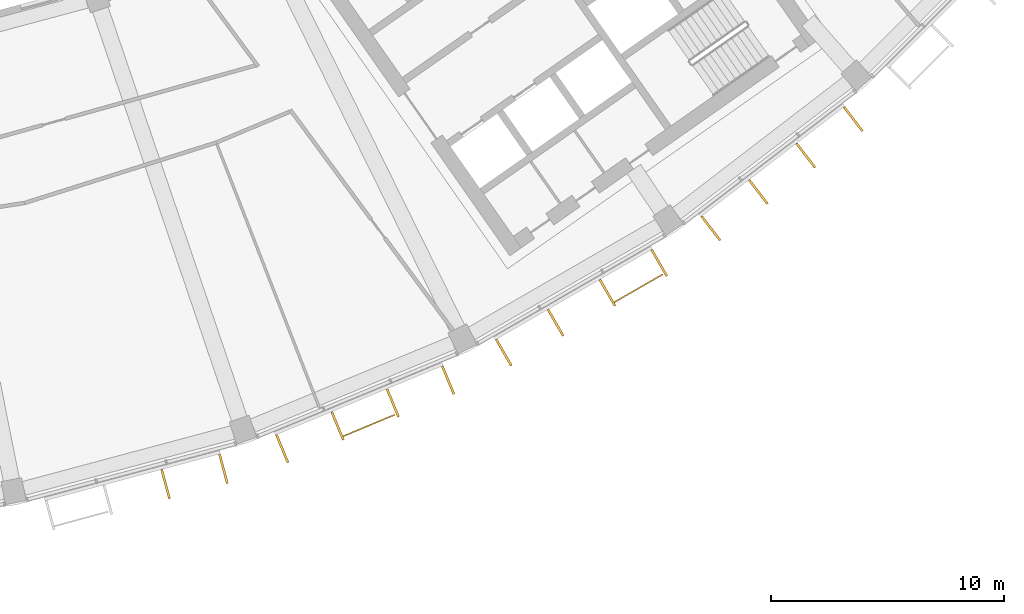
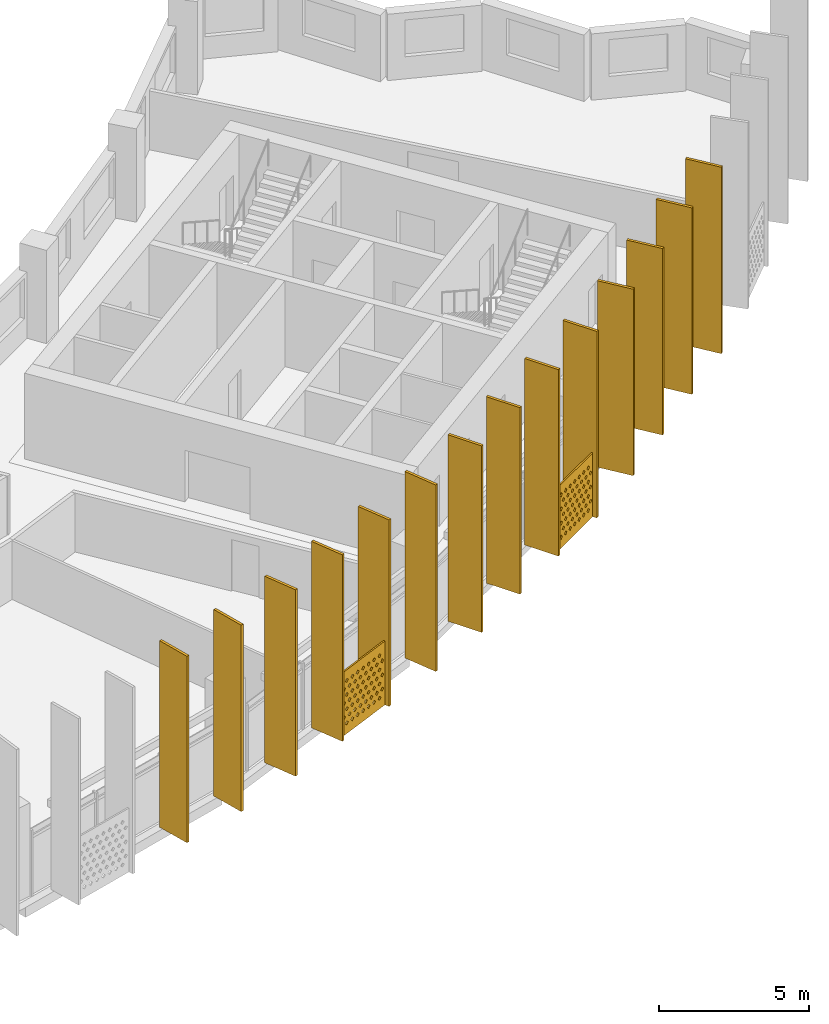
# One storey, part 26 of 28: 16 shading devices.
"""IFC4 building model written with IfcOpenShell, lengths in metres."""

from ifc_helpers import new_model, si_unit, direction, frame, origin, origin_2d, place, context, subcontext, project, spatial, polyline, rectangle, outline, extrude, material, material_profile, profile_set, type_object, element, save


model = new_model("IFC4")

# Units and contexts
model_context = context("Model", 3, precision=1e-05, world=origin(), true_north=direction((0.0, 1.0)))
body_context = subcontext(model_context, "Body", "Model", "MODEL_VIEW")
ifc_project = project(units=[si_unit("LENGTHUNIT", "METRE"), si_unit("AREAUNIT", "SQUARE_METRE"), si_unit("VOLUMEUNIT", "CUBIC_METRE"), si_unit("PLANEANGLEUNIT", "RADIAN"), si_unit("MASSUNIT", "GRAM", prefix="KILO")], contexts=[model_context])

# Site, building, storey
site_placement = place(None, origin())
site = spatial("IfcSite", under=ifc_project, at=site_placement, CompositionType="ELEMENT")
building_placement = place(site_placement, origin())
building = spatial("IfcBuilding", under=site, at=building_placement, Name="Qamariyya Broadcast Tower", CompositionType="ELEMENT")
storey_placement = place(building_placement, frame((0.0, 0.0, 273.300048828125)))
storey = spatial("IfcBuildingStorey", under=building, at=storey_placement, Name="L66", CompositionType="ELEMENT", Elevation=273.300048828125)

# Shading devices
ifc_material_1 = material(Name="Perforated glazed terracotta", Category="masonry")
ifc_material_profile_1 = material_profile(ifc_material_1, outline(polyline([(-1.199951171875, -1.300048828125), (1.199951171875, -1.300048828125), (1.199951171875, 1.300048828125), (-1.199951171875, 1.300048828125), (-1.199951171875, -1.300048828125)]), holes=[polyline([(-0.81494140625, -0.86669921875), (-0.89990234375, -0.78173828125), (-0.985107421875, -0.86669921875), (-0.89990234375, -0.95166015625), (-0.81494140625, -0.86669921875)]), polyline([(-0.514892578125, -0.86669921875), (-0.60009765625, -0.78173828125), (-0.68505859375, -0.86669921875), (-0.60009765625, -0.95166015625), (-0.514892578125, -0.86669921875)]), polyline([(-0.215087890625, -0.86669921875), (-0.300048828125, -0.78173828125), (-0.385009765625, -0.86669921875), (-0.300048828125, -0.95166015625), (-0.215087890625, -0.86669921875)]), polyline([(0.0849609375, -0.86669921875), (0.0, -0.78173828125), (-0.0849609375, -0.86669921875), (0.0, -0.95166015625), (0.0849609375, -0.86669921875)]), polyline([(0.385009765625, -0.86669921875), (0.300048828125, -0.78173828125), (0.215087890625, -0.86669921875), (0.300048828125, -0.95166015625), (0.385009765625, -0.86669921875)]), polyline([(0.68505859375, -0.86669921875), (0.60009765625, -0.78173828125), (0.514892578125, -0.86669921875), (0.60009765625, -0.95166015625), (0.68505859375, -0.86669921875)]), polyline([(0.985107421875, -0.86669921875), (0.89990234375, -0.78173828125), (0.81494140625, -0.86669921875), (0.89990234375, -0.95166015625), (0.985107421875, -0.86669921875)]), polyline([(-0.965087890625, -0.577880859375), (-1.050048828125, -0.49267578125), (-1.135009765625, -0.577880859375), (-1.050048828125, -0.662841796875), (-0.965087890625, -0.577880859375)]), polyline([(-0.6650390625, -0.577880859375), (-0.75, -0.49267578125), (-0.8349609375, -0.577880859375), (-0.75, -0.662841796875), (-0.6650390625, -0.577880859375)]), polyline([(-0.364990234375, -0.577880859375), (-0.449951171875, -0.49267578125), (-0.534912109375, -0.577880859375), (-0.449951171875, -0.662841796875), (-0.364990234375, -0.577880859375)]), polyline([(-0.06494140625, -0.577880859375), (-0.14990234375, -0.49267578125), (-0.235107421875, -0.577880859375), (-0.14990234375, -0.662841796875), (-0.06494140625, -0.577880859375)]), polyline([(0.235107421875, -0.577880859375), (0.14990234375, -0.49267578125), (0.06494140625, -0.577880859375), (0.14990234375, -0.662841796875), (0.235107421875, -0.577880859375)]), polyline([(0.534912109375, -0.577880859375), (0.449951171875, -0.49267578125), (0.364990234375, -0.577880859375), (0.449951171875, -0.662841796875), (0.534912109375, -0.577880859375)]), polyline([(0.8349609375, -0.577880859375), (0.75, -0.49267578125), (0.6650390625, -0.577880859375), (0.75, -0.662841796875), (0.8349609375, -0.577880859375)]), polyline([(1.135009765625, -0.577880859375), (1.050048828125, -0.49267578125), (0.965087890625, -0.577880859375), (1.050048828125, -0.662841796875), (1.135009765625, -0.577880859375)]), polyline([(-0.81494140625, -0.288818359375), (-0.89990234375, -0.203857421875), (-0.985107421875, -0.288818359375), (-0.89990234375, -0.373779296875), (-0.81494140625, -0.288818359375)]), polyline([(-0.514892578125, -0.288818359375), (-0.60009765625, -0.203857421875), (-0.68505859375, -0.288818359375), (-0.60009765625, -0.373779296875), (-0.514892578125, -0.288818359375)]), polyline([(-0.215087890625, -0.288818359375), (-0.300048828125, -0.203857421875), (-0.385009765625, -0.288818359375), (-0.300048828125, -0.373779296875), (-0.215087890625, -0.288818359375)]), polyline([(0.0849609375, -0.288818359375), (0.0, -0.203857421875), (-0.0849609375, -0.288818359375), (0.0, -0.373779296875), (0.0849609375, -0.288818359375)]), polyline([(0.385009765625, -0.288818359375), (0.300048828125, -0.203857421875), (0.215087890625, -0.288818359375), (0.300048828125, -0.373779296875), (0.385009765625, -0.288818359375)]), polyline([(0.68505859375, -0.288818359375), (0.60009765625, -0.203857421875), (0.514892578125, -0.288818359375), (0.60009765625, -0.373779296875), (0.68505859375, -0.288818359375)]), polyline([(0.985107421875, -0.288818359375), (0.89990234375, -0.203857421875), (0.81494140625, -0.288818359375), (0.89990234375, -0.373779296875), (0.985107421875, -0.288818359375)]), polyline([(-0.965087890625, 0.0), (-1.050048828125, 0.0849609375), (-1.135009765625, 0.0), (-1.050048828125, -0.0849609375), (-0.965087890625, 0.0)]), polyline([(-0.6650390625, 0.0), (-0.75, 0.0849609375), (-0.8349609375, 0.0), (-0.75, -0.0849609375), (-0.6650390625, 0.0)]), polyline([(-0.364990234375, 0.0), (-0.449951171875, 0.0849609375), (-0.534912109375, 0.0), (-0.449951171875, -0.0849609375), (-0.364990234375, 0.0)]), polyline([(-0.06494140625, 0.0), (-0.14990234375, 0.0849609375), (-0.235107421875, 0.0), (-0.14990234375, -0.0849609375), (-0.06494140625, 0.0)]), polyline([(0.235107421875, 0.0), (0.14990234375, 0.0849609375), (0.06494140625, 0.0), (0.14990234375, -0.0849609375), (0.235107421875, 0.0)]), polyline([(0.534912109375, 0.0), (0.449951171875, 0.0849609375), (0.364990234375, 0.0), (0.449951171875, -0.0849609375), (0.534912109375, 0.0)]), polyline([(0.8349609375, 0.0), (0.75, 0.0849609375), (0.6650390625, 0.0), (0.75, -0.0849609375), (0.8349609375, 0.0)]), polyline([(1.135009765625, 0.0), (1.050048828125, 0.0849609375), (0.965087890625, 0.0), (1.050048828125, -0.0849609375), (1.135009765625, 0.0)]), polyline([(-0.81494140625, 0.288818359375), (-0.89990234375, 0.373779296875), (-0.985107421875, 0.288818359375), (-0.89990234375, 0.203857421875), (-0.81494140625, 0.288818359375)]), polyline([(-0.514892578125, 0.288818359375), (-0.60009765625, 0.373779296875), (-0.68505859375, 0.288818359375), (-0.60009765625, 0.203857421875), (-0.514892578125, 0.288818359375)]), polyline([(-0.215087890625, 0.288818359375), (-0.300048828125, 0.373779296875), (-0.385009765625, 0.288818359375), (-0.300048828125, 0.203857421875), (-0.215087890625, 0.288818359375)]), polyline([(0.0849609375, 0.288818359375), (0.0, 0.373779296875), (-0.0849609375, 0.288818359375), (0.0, 0.203857421875), (0.0849609375, 0.288818359375)]), polyline([(0.385009765625, 0.288818359375), (0.300048828125, 0.373779296875), (0.215087890625, 0.288818359375), (0.300048828125, 0.203857421875), (0.385009765625, 0.288818359375)]), polyline([(0.68505859375, 0.288818359375), (0.60009765625, 0.373779296875), (0.514892578125, 0.288818359375), (0.60009765625, 0.203857421875), (0.68505859375, 0.288818359375)]), polyline([(0.985107421875, 0.288818359375), (0.89990234375, 0.373779296875), (0.81494140625, 0.288818359375), (0.89990234375, 0.203857421875), (0.985107421875, 0.288818359375)]), polyline([(-0.965087890625, 0.577880859375), (-1.050048828125, 0.662841796875), (-1.135009765625, 0.577880859375), (-1.050048828125, 0.49267578125), (-0.965087890625, 0.577880859375)]), polyline([(-0.6650390625, 0.577880859375), (-0.75, 0.662841796875), (-0.8349609375, 0.577880859375), (-0.75, 0.49267578125), (-0.6650390625, 0.577880859375)]), polyline([(-0.364990234375, 0.577880859375), (-0.449951171875, 0.662841796875), (-0.534912109375, 0.577880859375), (-0.449951171875, 0.49267578125), (-0.364990234375, 0.577880859375)]), polyline([(-0.06494140625, 0.577880859375), (-0.14990234375, 0.662841796875), (-0.235107421875, 0.577880859375), (-0.14990234375, 0.49267578125), (-0.06494140625, 0.577880859375)]), polyline([(0.235107421875, 0.577880859375), (0.14990234375, 0.662841796875), (0.06494140625, 0.577880859375), (0.14990234375, 0.49267578125), (0.235107421875, 0.577880859375)]), polyline([(0.534912109375, 0.577880859375), (0.449951171875, 0.662841796875), (0.364990234375, 0.577880859375), (0.449951171875, 0.49267578125), (0.534912109375, 0.577880859375)]), polyline([(0.8349609375, 0.577880859375), (0.75, 0.662841796875), (0.6650390625, 0.577880859375), (0.75, 0.49267578125), (0.8349609375, 0.577880859375)]), polyline([(1.135009765625, 0.577880859375), (1.050048828125, 0.662841796875), (0.965087890625, 0.577880859375), (1.050048828125, 0.49267578125), (1.135009765625, 0.577880859375)]), polyline([(-0.81494140625, 0.86669921875), (-0.89990234375, 0.95166015625), (-0.985107421875, 0.86669921875), (-0.89990234375, 0.78173828125), (-0.81494140625, 0.86669921875)]), polyline([(-0.514892578125, 0.86669921875), (-0.60009765625, 0.95166015625), (-0.68505859375, 0.86669921875), (-0.60009765625, 0.78173828125), (-0.514892578125, 0.86669921875)]), polyline([(-0.215087890625, 0.86669921875), (-0.300048828125, 0.95166015625), (-0.385009765625, 0.86669921875), (-0.300048828125, 0.78173828125), (-0.215087890625, 0.86669921875)]), polyline([(0.0849609375, 0.86669921875), (0.0, 0.95166015625), (-0.0849609375, 0.86669921875), (0.0, 0.78173828125), (0.0849609375, 0.86669921875)]), polyline([(0.385009765625, 0.86669921875), (0.300048828125, 0.95166015625), (0.215087890625, 0.86669921875), (0.300048828125, 0.78173828125), (0.385009765625, 0.86669921875)]), polyline([(0.68505859375, 0.86669921875), (0.60009765625, 0.95166015625), (0.514892578125, 0.86669921875), (0.60009765625, 0.78173828125), (0.68505859375, 0.86669921875)]), polyline([(0.985107421875, 0.86669921875), (0.89990234375, 0.95166015625), (0.81494140625, 0.86669921875), (0.89990234375, 0.78173828125), (0.985107421875, 0.86669921875)])]))
ifc_profile_set_1 = profile_set([ifc_material_profile_1], Name="Perforated glazed terracotta")
shading_device_type_1 = type_object("IfcShadingDeviceType", Name="Perforated terracotta screen 2400 x 2600", PredefinedType="USERDEFINED", material=ifc_profile_set_1)
shading_device_1_placement = place(storey_placement, frame((30.376220703125, -73.416259765625, 1.349853515625), z_axis=(0.386057671614, -0.922474646908, 0.0), x_axis=(0.922474646908, 0.386057671614, 0.0)))
element("IfcShadingDevice", 1, at=shading_device_1_placement, inside=storey, type_object=shading_device_type_1, Name="e-scr-L66-10-1", ObjectType="SCREEN", PredefinedType="USERDEFINED", context=body_context, shape_type="SweptSolid", body=[
    extrude(outline(polyline([(-1.199951171875, -1.300048828125), (1.199951171875, -1.300048828125), (1.199951171875, 1.300048828125), (-1.199951171875, 1.300048828125), (-1.199951171875, -1.300048828125)]), holes=[polyline([(-0.81494140625, -0.86669921875), (-0.89990234375, -0.78173828125), (-0.985107421875, -0.86669921875), (-0.89990234375, -0.95166015625), (-0.81494140625, -0.86669921875)]), polyline([(-0.514892578125, -0.86669921875), (-0.60009765625, -0.78173828125), (-0.68505859375, -0.86669921875), (-0.60009765625, -0.95166015625), (-0.514892578125, -0.86669921875)]), polyline([(-0.215087890625, -0.86669921875), (-0.300048828125, -0.78173828125), (-0.385009765625, -0.86669921875), (-0.300048828125, -0.95166015625), (-0.215087890625, -0.86669921875)]), polyline([(0.0849609375, -0.86669921875), (0.0, -0.78173828125), (-0.0849609375, -0.86669921875), (0.0, -0.95166015625), (0.0849609375, -0.86669921875)]), polyline([(0.385009765625, -0.86669921875), (0.300048828125, -0.78173828125), (0.215087890625, -0.86669921875), (0.300048828125, -0.95166015625), (0.385009765625, -0.86669921875)]), polyline([(0.68505859375, -0.86669921875), (0.60009765625, -0.78173828125), (0.514892578125, -0.86669921875), (0.60009765625, -0.95166015625), (0.68505859375, -0.86669921875)]), polyline([(0.985107421875, -0.86669921875), (0.89990234375, -0.78173828125), (0.81494140625, -0.86669921875), (0.89990234375, -0.95166015625), (0.985107421875, -0.86669921875)]), polyline([(-0.965087890625, -0.577880859375), (-1.050048828125, -0.49267578125), (-1.135009765625, -0.577880859375), (-1.050048828125, -0.662841796875), (-0.965087890625, -0.577880859375)]), polyline([(-0.6650390625, -0.577880859375), (-0.75, -0.49267578125), (-0.8349609375, -0.577880859375), (-0.75, -0.662841796875), (-0.6650390625, -0.577880859375)]), polyline([(-0.364990234375, -0.577880859375), (-0.449951171875, -0.49267578125), (-0.534912109375, -0.577880859375), (-0.449951171875, -0.662841796875), (-0.364990234375, -0.577880859375)]), polyline([(-0.06494140625, -0.577880859375), (-0.14990234375, -0.49267578125), (-0.235107421875, -0.577880859375), (-0.14990234375, -0.662841796875), (-0.06494140625, -0.577880859375)]), polyline([(0.235107421875, -0.577880859375), (0.14990234375, -0.49267578125), (0.06494140625, -0.577880859375), (0.14990234375, -0.662841796875), (0.235107421875, -0.577880859375)]), polyline([(0.534912109375, -0.577880859375), (0.449951171875, -0.49267578125), (0.364990234375, -0.577880859375), (0.449951171875, -0.662841796875), (0.534912109375, -0.577880859375)]), polyline([(0.8349609375, -0.577880859375), (0.75, -0.49267578125), (0.6650390625, -0.577880859375), (0.75, -0.662841796875), (0.8349609375, -0.577880859375)]), polyline([(1.135009765625, -0.577880859375), (1.050048828125, -0.49267578125), (0.965087890625, -0.577880859375), (1.050048828125, -0.662841796875), (1.135009765625, -0.577880859375)]), polyline([(-0.81494140625, -0.288818359375), (-0.89990234375, -0.203857421875), (-0.985107421875, -0.288818359375), (-0.89990234375, -0.373779296875), (-0.81494140625, -0.288818359375)]), polyline([(-0.514892578125, -0.288818359375), (-0.60009765625, -0.203857421875), (-0.68505859375, -0.288818359375), (-0.60009765625, -0.373779296875), (-0.514892578125, -0.288818359375)]), polyline([(-0.215087890625, -0.288818359375), (-0.300048828125, -0.203857421875), (-0.385009765625, -0.288818359375), (-0.300048828125, -0.373779296875), (-0.215087890625, -0.288818359375)]), polyline([(0.0849609375, -0.288818359375), (0.0, -0.203857421875), (-0.0849609375, -0.288818359375), (0.0, -0.373779296875), (0.0849609375, -0.288818359375)]), polyline([(0.385009765625, -0.288818359375), (0.300048828125, -0.203857421875), (0.215087890625, -0.288818359375), (0.300048828125, -0.373779296875), (0.385009765625, -0.288818359375)]), polyline([(0.68505859375, -0.288818359375), (0.60009765625, -0.203857421875), (0.514892578125, -0.288818359375), (0.60009765625, -0.373779296875), (0.68505859375, -0.288818359375)]), polyline([(0.985107421875, -0.288818359375), (0.89990234375, -0.203857421875), (0.81494140625, -0.288818359375), (0.89990234375, -0.373779296875), (0.985107421875, -0.288818359375)]), polyline([(-0.965087890625, 0.0), (-1.050048828125, 0.0849609375), (-1.135009765625, 0.0), (-1.050048828125, -0.0849609375), (-0.965087890625, 0.0)]), polyline([(-0.6650390625, 0.0), (-0.75, 0.0849609375), (-0.8349609375, 0.0), (-0.75, -0.0849609375), (-0.6650390625, 0.0)]), polyline([(-0.364990234375, 0.0), (-0.449951171875, 0.0849609375), (-0.534912109375, 0.0), (-0.449951171875, -0.0849609375), (-0.364990234375, 0.0)]), polyline([(-0.06494140625, 0.0), (-0.14990234375, 0.0849609375), (-0.235107421875, 0.0), (-0.14990234375, -0.0849609375), (-0.06494140625, 0.0)]), polyline([(0.235107421875, 0.0), (0.14990234375, 0.0849609375), (0.06494140625, 0.0), (0.14990234375, -0.0849609375), (0.235107421875, 0.0)]), polyline([(0.534912109375, 0.0), (0.449951171875, 0.0849609375), (0.364990234375, 0.0), (0.449951171875, -0.0849609375), (0.534912109375, 0.0)]), polyline([(0.8349609375, 0.0), (0.75, 0.0849609375), (0.6650390625, 0.0), (0.75, -0.0849609375), (0.8349609375, 0.0)]), polyline([(1.135009765625, 0.0), (1.050048828125, 0.0849609375), (0.965087890625, 0.0), (1.050048828125, -0.0849609375), (1.135009765625, 0.0)]), polyline([(-0.81494140625, 0.288818359375), (-0.89990234375, 0.373779296875), (-0.985107421875, 0.288818359375), (-0.89990234375, 0.203857421875), (-0.81494140625, 0.288818359375)]), polyline([(-0.514892578125, 0.288818359375), (-0.60009765625, 0.373779296875), (-0.68505859375, 0.288818359375), (-0.60009765625, 0.203857421875), (-0.514892578125, 0.288818359375)]), polyline([(-0.215087890625, 0.288818359375), (-0.300048828125, 0.373779296875), (-0.385009765625, 0.288818359375), (-0.300048828125, 0.203857421875), (-0.215087890625, 0.288818359375)]), polyline([(0.0849609375, 0.288818359375), (0.0, 0.373779296875), (-0.0849609375, 0.288818359375), (0.0, 0.203857421875), (0.0849609375, 0.288818359375)]), polyline([(0.385009765625, 0.288818359375), (0.300048828125, 0.373779296875), (0.215087890625, 0.288818359375), (0.300048828125, 0.203857421875), (0.385009765625, 0.288818359375)]), polyline([(0.68505859375, 0.288818359375), (0.60009765625, 0.373779296875), (0.514892578125, 0.288818359375), (0.60009765625, 0.203857421875), (0.68505859375, 0.288818359375)]), polyline([(0.985107421875, 0.288818359375), (0.89990234375, 0.373779296875), (0.81494140625, 0.288818359375), (0.89990234375, 0.203857421875), (0.985107421875, 0.288818359375)]), polyline([(-0.965087890625, 0.577880859375), (-1.050048828125, 0.662841796875), (-1.135009765625, 0.577880859375), (-1.050048828125, 0.49267578125), (-0.965087890625, 0.577880859375)]), polyline([(-0.6650390625, 0.577880859375), (-0.75, 0.662841796875), (-0.8349609375, 0.577880859375), (-0.75, 0.49267578125), (-0.6650390625, 0.577880859375)]), polyline([(-0.364990234375, 0.577880859375), (-0.449951171875, 0.662841796875), (-0.534912109375, 0.577880859375), (-0.449951171875, 0.49267578125), (-0.364990234375, 0.577880859375)]), polyline([(-0.06494140625, 0.577880859375), (-0.14990234375, 0.662841796875), (-0.235107421875, 0.577880859375), (-0.14990234375, 0.49267578125), (-0.06494140625, 0.577880859375)]), polyline([(0.235107421875, 0.577880859375), (0.14990234375, 0.662841796875), (0.06494140625, 0.577880859375), (0.14990234375, 0.49267578125), (0.235107421875, 0.577880859375)]), polyline([(0.534912109375, 0.577880859375), (0.449951171875, 0.662841796875), (0.364990234375, 0.577880859375), (0.449951171875, 0.49267578125), (0.534912109375, 0.577880859375)]), polyline([(0.8349609375, 0.577880859375), (0.75, 0.662841796875), (0.6650390625, 0.577880859375), (0.75, 0.49267578125), (0.8349609375, 0.577880859375)]), polyline([(1.135009765625, 0.577880859375), (1.050048828125, 0.662841796875), (0.965087890625, 0.577880859375), (1.050048828125, 0.49267578125), (1.135009765625, 0.577880859375)]), polyline([(-0.81494140625, 0.86669921875), (-0.89990234375, 0.95166015625), (-0.985107421875, 0.86669921875), (-0.89990234375, 0.78173828125), (-0.81494140625, 0.86669921875)]), polyline([(-0.514892578125, 0.86669921875), (-0.60009765625, 0.95166015625), (-0.68505859375, 0.86669921875), (-0.60009765625, 0.78173828125), (-0.514892578125, 0.86669921875)]), polyline([(-0.215087890625, 0.86669921875), (-0.300048828125, 0.95166015625), (-0.385009765625, 0.86669921875), (-0.300048828125, 0.78173828125), (-0.215087890625, 0.86669921875)]), polyline([(0.0849609375, 0.86669921875), (0.0, 0.95166015625), (-0.0849609375, 0.86669921875), (0.0, 0.78173828125), (0.0849609375, 0.86669921875)]), polyline([(0.385009765625, 0.86669921875), (0.300048828125, 0.95166015625), (0.215087890625, 0.86669921875), (0.300048828125, 0.78173828125), (0.385009765625, 0.86669921875)]), polyline([(0.68505859375, 0.86669921875), (0.60009765625, 0.95166015625), (0.514892578125, 0.86669921875), (0.60009765625, 0.78173828125), (0.68505859375, 0.86669921875)]), polyline([(0.985107421875, 0.86669921875), (0.89990234375, 0.95166015625), (0.81494140625, 0.86669921875), (0.89990234375, 0.78173828125), (0.985107421875, 0.86669921875)])]), origin(), (0.0, 0.0, 1.0), 0.06005859375),
])
shading_device_2_placement = place(storey_placement, frame((41.918212890625, -67.542236328125, 1.349853515625), z_axis=(0.498778343083, -0.866729579783, 0.0), x_axis=(0.866729579783, 0.498778343083, 0.0)))
element("IfcShadingDevice", 2, at=shading_device_2_placement, inside=storey, type_object=shading_device_type_1, Name="e-scr-L66-11-2", ObjectType="SCREEN", PredefinedType="USERDEFINED", context=body_context, shape_type="SweptSolid", body=[
    extrude(outline(polyline([(-1.199951171875, -1.300048828125), (1.199951171875, -1.300048828125), (1.199951171875, 1.300048828125), (-1.199951171875, 1.300048828125), (-1.199951171875, -1.300048828125)]), holes=[polyline([(-0.81494140625, -0.86669921875), (-0.89990234375, -0.78173828125), (-0.985107421875, -0.86669921875), (-0.89990234375, -0.95166015625), (-0.81494140625, -0.86669921875)]), polyline([(-0.514892578125, -0.86669921875), (-0.60009765625, -0.78173828125), (-0.68505859375, -0.86669921875), (-0.60009765625, -0.95166015625), (-0.514892578125, -0.86669921875)]), polyline([(-0.215087890625, -0.86669921875), (-0.300048828125, -0.78173828125), (-0.385009765625, -0.86669921875), (-0.300048828125, -0.95166015625), (-0.215087890625, -0.86669921875)]), polyline([(0.0849609375, -0.86669921875), (0.0, -0.78173828125), (-0.0849609375, -0.86669921875), (0.0, -0.95166015625), (0.0849609375, -0.86669921875)]), polyline([(0.385009765625, -0.86669921875), (0.300048828125, -0.78173828125), (0.215087890625, -0.86669921875), (0.300048828125, -0.95166015625), (0.385009765625, -0.86669921875)]), polyline([(0.68505859375, -0.86669921875), (0.60009765625, -0.78173828125), (0.514892578125, -0.86669921875), (0.60009765625, -0.95166015625), (0.68505859375, -0.86669921875)]), polyline([(0.985107421875, -0.86669921875), (0.89990234375, -0.78173828125), (0.81494140625, -0.86669921875), (0.89990234375, -0.95166015625), (0.985107421875, -0.86669921875)]), polyline([(-0.965087890625, -0.577880859375), (-1.050048828125, -0.49267578125), (-1.135009765625, -0.577880859375), (-1.050048828125, -0.662841796875), (-0.965087890625, -0.577880859375)]), polyline([(-0.6650390625, -0.577880859375), (-0.75, -0.49267578125), (-0.8349609375, -0.577880859375), (-0.75, -0.662841796875), (-0.6650390625, -0.577880859375)]), polyline([(-0.364990234375, -0.577880859375), (-0.449951171875, -0.49267578125), (-0.534912109375, -0.577880859375), (-0.449951171875, -0.662841796875), (-0.364990234375, -0.577880859375)]), polyline([(-0.06494140625, -0.577880859375), (-0.14990234375, -0.49267578125), (-0.235107421875, -0.577880859375), (-0.14990234375, -0.662841796875), (-0.06494140625, -0.577880859375)]), polyline([(0.235107421875, -0.577880859375), (0.14990234375, -0.49267578125), (0.06494140625, -0.577880859375), (0.14990234375, -0.662841796875), (0.235107421875, -0.577880859375)]), polyline([(0.534912109375, -0.577880859375), (0.449951171875, -0.49267578125), (0.364990234375, -0.577880859375), (0.449951171875, -0.662841796875), (0.534912109375, -0.577880859375)]), polyline([(0.8349609375, -0.577880859375), (0.75, -0.49267578125), (0.6650390625, -0.577880859375), (0.75, -0.662841796875), (0.8349609375, -0.577880859375)]), polyline([(1.135009765625, -0.577880859375), (1.050048828125, -0.49267578125), (0.965087890625, -0.577880859375), (1.050048828125, -0.662841796875), (1.135009765625, -0.577880859375)]), polyline([(-0.81494140625, -0.288818359375), (-0.89990234375, -0.203857421875), (-0.985107421875, -0.288818359375), (-0.89990234375, -0.373779296875), (-0.81494140625, -0.288818359375)]), polyline([(-0.514892578125, -0.288818359375), (-0.60009765625, -0.203857421875), (-0.68505859375, -0.288818359375), (-0.60009765625, -0.373779296875), (-0.514892578125, -0.288818359375)]), polyline([(-0.215087890625, -0.288818359375), (-0.300048828125, -0.203857421875), (-0.385009765625, -0.288818359375), (-0.300048828125, -0.373779296875), (-0.215087890625, -0.288818359375)]), polyline([(0.0849609375, -0.288818359375), (0.0, -0.203857421875), (-0.0849609375, -0.288818359375), (0.0, -0.373779296875), (0.0849609375, -0.288818359375)]), polyline([(0.385009765625, -0.288818359375), (0.300048828125, -0.203857421875), (0.215087890625, -0.288818359375), (0.300048828125, -0.373779296875), (0.385009765625, -0.288818359375)]), polyline([(0.68505859375, -0.288818359375), (0.60009765625, -0.203857421875), (0.514892578125, -0.288818359375), (0.60009765625, -0.373779296875), (0.68505859375, -0.288818359375)]), polyline([(0.985107421875, -0.288818359375), (0.89990234375, -0.203857421875), (0.81494140625, -0.288818359375), (0.89990234375, -0.373779296875), (0.985107421875, -0.288818359375)]), polyline([(-0.965087890625, 0.0), (-1.050048828125, 0.0849609375), (-1.135009765625, 0.0), (-1.050048828125, -0.0849609375), (-0.965087890625, 0.0)]), polyline([(-0.6650390625, 0.0), (-0.75, 0.0849609375), (-0.8349609375, 0.0), (-0.75, -0.0849609375), (-0.6650390625, 0.0)]), polyline([(-0.364990234375, 0.0), (-0.449951171875, 0.0849609375), (-0.534912109375, 0.0), (-0.449951171875, -0.0849609375), (-0.364990234375, 0.0)]), polyline([(-0.06494140625, 0.0), (-0.14990234375, 0.0849609375), (-0.235107421875, 0.0), (-0.14990234375, -0.0849609375), (-0.06494140625, 0.0)]), polyline([(0.235107421875, 0.0), (0.14990234375, 0.0849609375), (0.06494140625, 0.0), (0.14990234375, -0.0849609375), (0.235107421875, 0.0)]), polyline([(0.534912109375, 0.0), (0.449951171875, 0.0849609375), (0.364990234375, 0.0), (0.449951171875, -0.0849609375), (0.534912109375, 0.0)]), polyline([(0.8349609375, 0.0), (0.75, 0.0849609375), (0.6650390625, 0.0), (0.75, -0.0849609375), (0.8349609375, 0.0)]), polyline([(1.135009765625, 0.0), (1.050048828125, 0.0849609375), (0.965087890625, 0.0), (1.050048828125, -0.0849609375), (1.135009765625, 0.0)]), polyline([(-0.81494140625, 0.288818359375), (-0.89990234375, 0.373779296875), (-0.985107421875, 0.288818359375), (-0.89990234375, 0.203857421875), (-0.81494140625, 0.288818359375)]), polyline([(-0.514892578125, 0.288818359375), (-0.60009765625, 0.373779296875), (-0.68505859375, 0.288818359375), (-0.60009765625, 0.203857421875), (-0.514892578125, 0.288818359375)]), polyline([(-0.215087890625, 0.288818359375), (-0.300048828125, 0.373779296875), (-0.385009765625, 0.288818359375), (-0.300048828125, 0.203857421875), (-0.215087890625, 0.288818359375)]), polyline([(0.0849609375, 0.288818359375), (0.0, 0.373779296875), (-0.0849609375, 0.288818359375), (0.0, 0.203857421875), (0.0849609375, 0.288818359375)]), polyline([(0.385009765625, 0.288818359375), (0.300048828125, 0.373779296875), (0.215087890625, 0.288818359375), (0.300048828125, 0.203857421875), (0.385009765625, 0.288818359375)]), polyline([(0.68505859375, 0.288818359375), (0.60009765625, 0.373779296875), (0.514892578125, 0.288818359375), (0.60009765625, 0.203857421875), (0.68505859375, 0.288818359375)]), polyline([(0.985107421875, 0.288818359375), (0.89990234375, 0.373779296875), (0.81494140625, 0.288818359375), (0.89990234375, 0.203857421875), (0.985107421875, 0.288818359375)]), polyline([(-0.965087890625, 0.577880859375), (-1.050048828125, 0.662841796875), (-1.135009765625, 0.577880859375), (-1.050048828125, 0.49267578125), (-0.965087890625, 0.577880859375)]), polyline([(-0.6650390625, 0.577880859375), (-0.75, 0.662841796875), (-0.8349609375, 0.577880859375), (-0.75, 0.49267578125), (-0.6650390625, 0.577880859375)]), polyline([(-0.364990234375, 0.577880859375), (-0.449951171875, 0.662841796875), (-0.534912109375, 0.577880859375), (-0.449951171875, 0.49267578125), (-0.364990234375, 0.577880859375)]), polyline([(-0.06494140625, 0.577880859375), (-0.14990234375, 0.662841796875), (-0.235107421875, 0.577880859375), (-0.14990234375, 0.49267578125), (-0.06494140625, 0.577880859375)]), polyline([(0.235107421875, 0.577880859375), (0.14990234375, 0.662841796875), (0.06494140625, 0.577880859375), (0.14990234375, 0.49267578125), (0.235107421875, 0.577880859375)]), polyline([(0.534912109375, 0.577880859375), (0.449951171875, 0.662841796875), (0.364990234375, 0.577880859375), (0.449951171875, 0.49267578125), (0.534912109375, 0.577880859375)]), polyline([(0.8349609375, 0.577880859375), (0.75, 0.662841796875), (0.6650390625, 0.577880859375), (0.75, 0.49267578125), (0.8349609375, 0.577880859375)]), polyline([(1.135009765625, 0.577880859375), (1.050048828125, 0.662841796875), (0.965087890625, 0.577880859375), (1.050048828125, 0.49267578125), (1.135009765625, 0.577880859375)]), polyline([(-0.81494140625, 0.86669921875), (-0.89990234375, 0.95166015625), (-0.985107421875, 0.86669921875), (-0.89990234375, 0.78173828125), (-0.81494140625, 0.86669921875)]), polyline([(-0.514892578125, 0.86669921875), (-0.60009765625, 0.95166015625), (-0.68505859375, 0.86669921875), (-0.60009765625, 0.78173828125), (-0.514892578125, 0.86669921875)]), polyline([(-0.215087890625, 0.86669921875), (-0.300048828125, 0.95166015625), (-0.385009765625, 0.86669921875), (-0.300048828125, 0.78173828125), (-0.215087890625, 0.86669921875)]), polyline([(0.0849609375, 0.86669921875), (0.0, 0.95166015625), (-0.0849609375, 0.86669921875), (0.0, 0.78173828125), (0.0849609375, 0.86669921875)]), polyline([(0.385009765625, 0.86669921875), (0.300048828125, 0.95166015625), (0.215087890625, 0.86669921875), (0.300048828125, 0.78173828125), (0.385009765625, 0.86669921875)]), polyline([(0.68505859375, 0.86669921875), (0.60009765625, 0.95166015625), (0.514892578125, 0.86669921875), (0.60009765625, 0.78173828125), (0.68505859375, 0.86669921875)]), polyline([(0.985107421875, 0.86669921875), (0.89990234375, 0.95166015625), (0.81494140625, 0.86669921875), (0.89990234375, 0.78173828125), (0.985107421875, 0.86669921875)])]), origin(), (0.0, 0.0, 1.0), 0.059814453125),
])
ifc_material_2 = material(Name="Glazed terracotta", Category="masonry")
ifc_material_profile_2 = material_profile(ifc_material_2, rectangle(XDim=1.300048828125, YDim=0.10009765625, at=origin_2d()))
ifc_profile_set_2 = profile_set([ifc_material_profile_2], Name="Glazed terracotta")
shading_device_type_2 = type_object("IfcShadingDeviceType", Name="Terracotta fin 100 x 1300", PredefinedType="USERDEFINED", material=ifc_profile_set_2)
for number, where, z_axis, x_axis, name in (
    (3, (21.679443359375, -75.95947265625, 0.0), (0.0, 0.0, 1.0), (0.258819045103, -0.965925826289, 0.0), "e-fin-L66-09-2"),
    (4, (24.154296875, -75.29638671875, 0.0), (0.0, 0.0, 1.0), (0.258819045103, -0.965925826289, 0.0), "e-fin-L66-09-3"),
    (5, (26.674560546875, -74.44091796875, 0.0), (0.0, 0.0, 1.0), (0.382683432365, -0.923879532511, 0.0), "e-fin-L66-10-0"),
    (6, (29.041748046875, -73.46044921875, 0.0), (0.0, 0.0, 1.0), (0.382683432365, -0.923879532511, 0.0), "e-fin-L66-10-1"),
    (7, (31.40869140625, -72.479736328125, 0.0), (0.0, 0.0, 1.0), (0.382683432365, -0.923879532511, 0.0), "e-fin-L66-10-2"),
    (8, (33.77587890625, -71.499267578125, 0.0), (0.0, 0.0, 1.0), (0.382683432365, -0.923879532511, 0.0), "e-fin-L66-10-3"),
    (9, (36.162841796875, -70.322265625, 0.0), (0.0, 0.0, 1.0), (0.5, -0.866025403784, 0.0), "e-fin-L66-11-0"),
    (10, (38.381591796875, -69.041259765625, 0.0), (0.0, 0.0, 1.0), (0.5, -0.866025403784, 0.0), "e-fin-L66-11-1"),
    (11, (40.6005859375, -67.760009765625, 0.0), (0.0, 0.0, 1.0), (0.5, -0.866025403784, 0.0), "e-fin-L66-11-2"),
    (12, (42.819580078125, -66.47900390625, 0.0), (0.0, 0.0, 1.0), (0.5, -0.866025403784, 0.0), "e-fin-L66-11-3"),
    (13, (45.0322265625, -65.00048828125, 0.0), (0.0, 0.0, 1.0), (0.608761429009, -0.793353340291, 0.0), "e-fin-L66-12-0"),
    (14, (47.06494140625, -63.440673828125, 0.0), (0.0, 0.0, 1.0), (0.608761429009, -0.793353340291, 0.0), "e-fin-L66-12-1"),
    (15, (49.09765625, -61.880859375, 0.0), (0.0, 0.0, 1.0), (0.608761429009, -0.793353340291, 0.0), "e-fin-L66-12-2"),
    (16, (51.13037109375, -60.3212890625, 0.0), (0.0, 0.0, 1.0), (0.608761429009, -0.793353340291, 0.0), "e-fin-L66-12-3"),
):
    element("IfcShadingDevice", number, at=place(storey_placement, frame(where, z_axis=z_axis, x_axis=x_axis)), inside=storey, type_object=shading_device_type_2, Name=name, ObjectType="FIN", PredefinedType="USERDEFINED", context=body_context, shape_type="SweptSolid", body=[
        extrude(rectangle(XDim=1.300048828125, YDim=0.10009765625, at=origin_2d()), origin(), (0.0, 0.0, 1.0), 7.599853515625),
    ])

save(model, "model.ifc")
